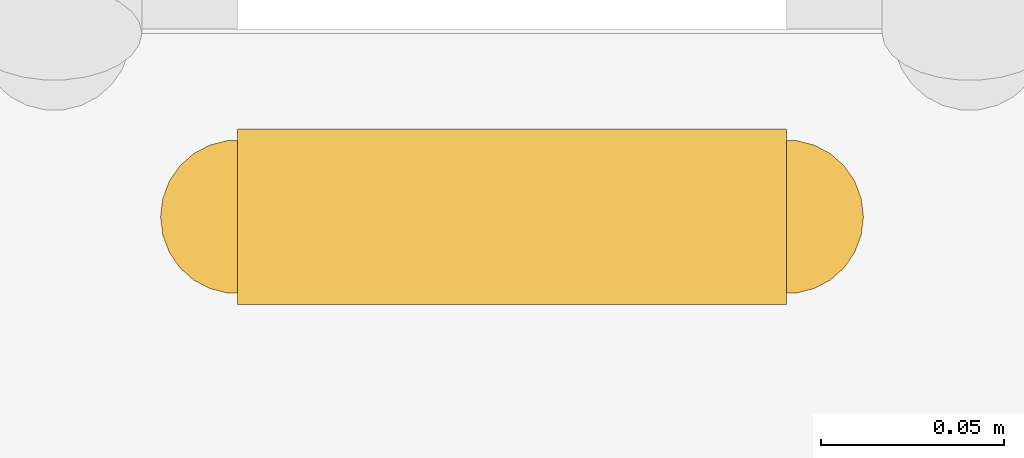
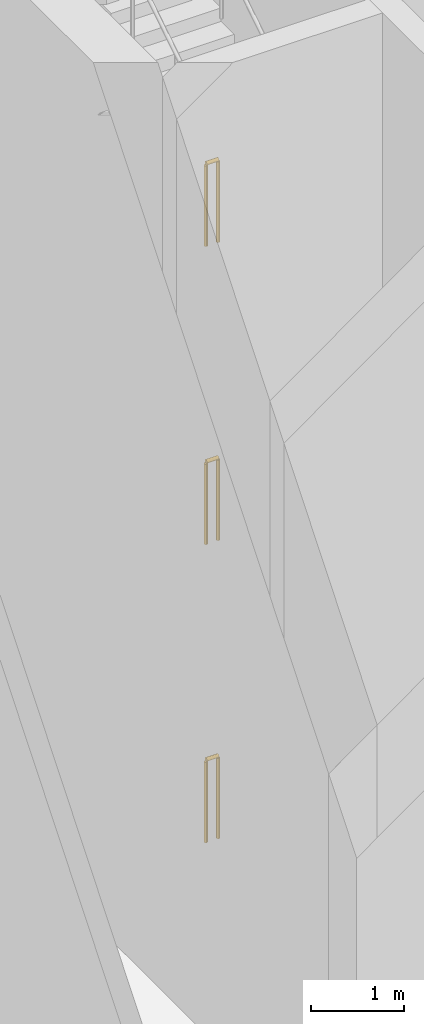
# One storey, part 7 of 11: 3 railings.
"""IFC4 building model written with IfcOpenShell, lengths in metres."""

from ifc_helpers import new_model, si_unit, direction, frame, origin, origin_2d, place, context, subcontext, project, spatial, circle, extrude, material, type_object, element, save


model = new_model("IFC4")

# Units and contexts
model_context = context("Model", 3, precision=1e-05, world=origin(), true_north=direction((0.0, 1.0)))
body_context = subcontext(model_context, "Body", "Model", "MODEL_VIEW")
ifc_project = project(units=[si_unit("LENGTHUNIT", "METRE"), si_unit("AREAUNIT", "SQUARE_METRE"), si_unit("VOLUMEUNIT", "CUBIC_METRE"), si_unit("PLANEANGLEUNIT", "RADIAN"), si_unit("MASSUNIT", "GRAM", prefix="KILO")], contexts=[model_context])

# Site, building, storey
site_placement = place(None, origin())
site = spatial("IfcSite", under=ifc_project, at=site_placement, CompositionType="ELEMENT")
building_placement = place(site_placement, origin())
building = spatial("IfcBuilding", under=site, at=building_placement, Name="Aloe Facet Convention Tower", CompositionType="ELEMENT")
storey_placement = place(building_placement, frame((0.0, 0.0, 227.0)))
storey = spatial("IfcBuildingStorey", under=building, at=storey_placement, Name="L57", CompositionType="ELEMENT", Elevation=227.0)

# Railings
ifc_material = material(Name="Steel S355 balustrade", Category="steel")
railing_type = type_object("IfcRailingType", Name="CR-RL-GUARD", PredefinedType="GUARDRAIL", material=ifc_material)
for number, where, name in (
    (1, (70.949951171875, 128.89990234375, 3.89990234375), "L57 ST1 stair guard 4"),
    (2, (70.949951171875, 128.89990234375, 7.800048828125), "L57 ST1 stair guard 8"),
    (3, (70.949951171875, 128.89990234375, 0.0), "L57 ST1 stair guard 12"),
):
    element("IfcRailing", number, at=place(storey_placement, frame(where)), inside=storey, type_object=railing_type, Name=name, PredefinedType="GUARDRAIL", context=body_context, shape_type="SweptSolid", body=[
        extrude(circle(Radius=0.02392578125, at=origin_2d()), frame((0.0, 0.0, 1.076171875), z_axis=(-1.0, 0.0, 0.0), x_axis=(0.0, -1.0, 0.0)), (0.0, 0.0, 1.0), 0.14990234375),
        extrude(circle(Radius=0.02099609375, at=origin_2d()), origin(), (0.0, 0.0, 1.0), 1.052001953125),
        extrude(circle(Radius=0.02099609375, at=origin_2d()), frame((-0.14990234375, 0.0, 0.0)), (0.0, 0.0, 1.0), 1.052001953125),
    ])

save(model, "model.ifc")
